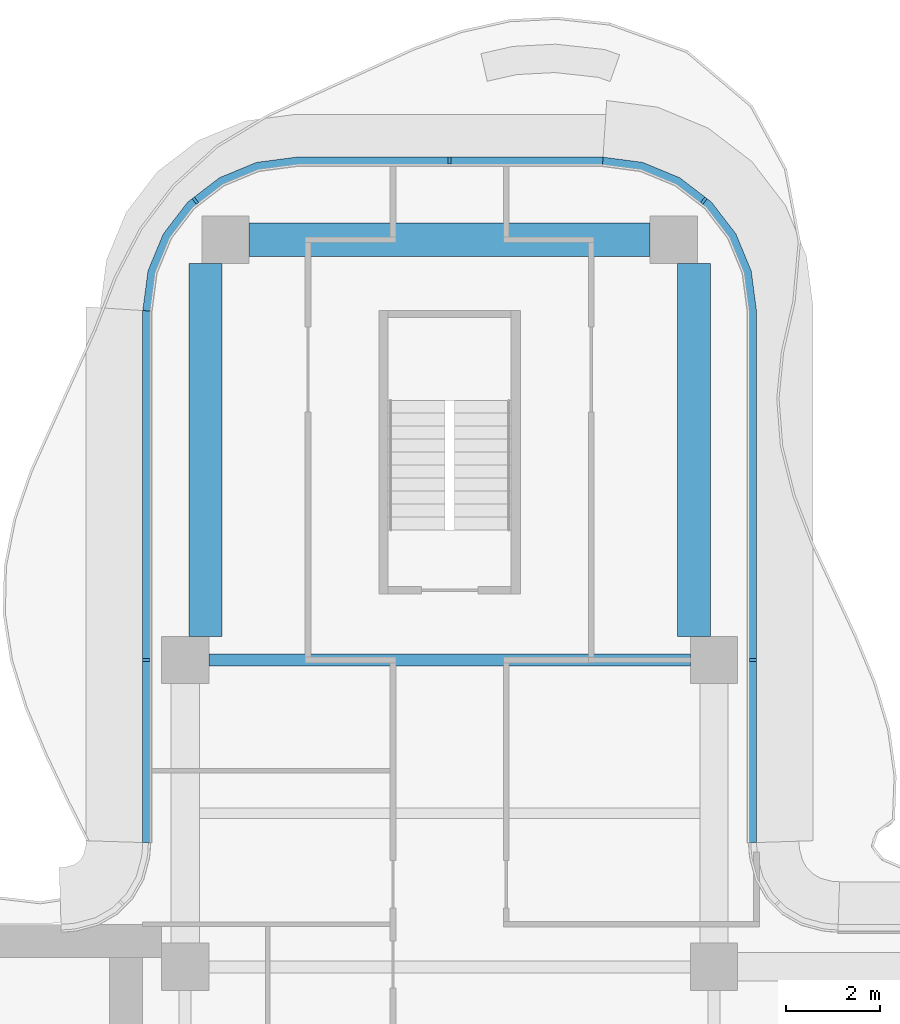
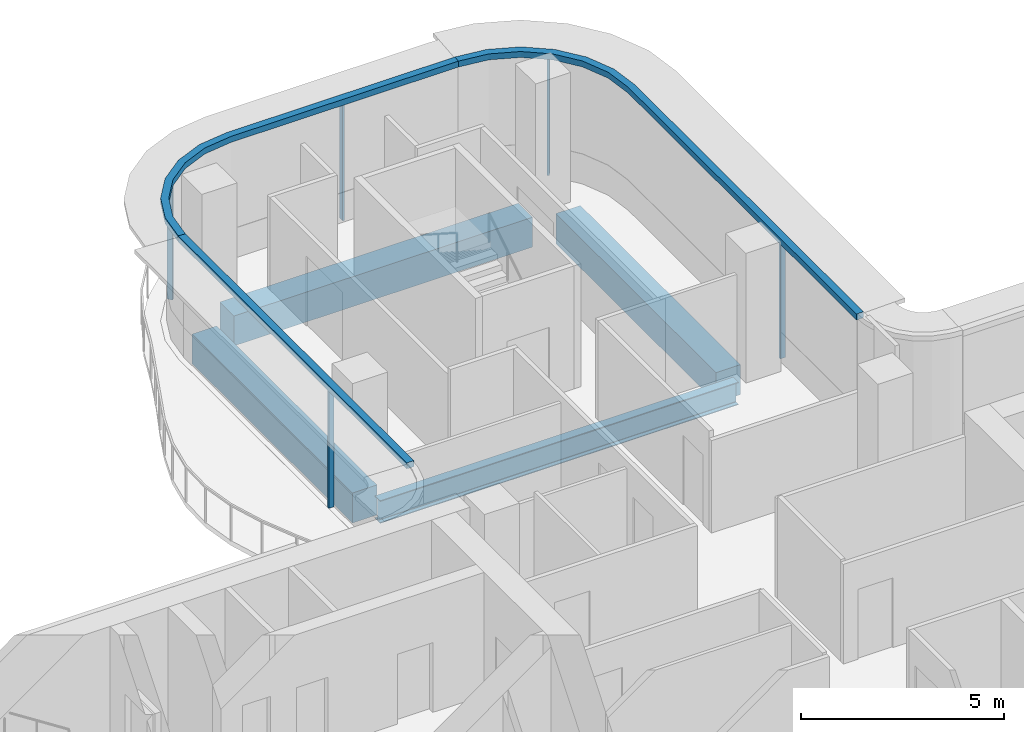
# One storey, part 7 of 16: 8 members, 4 beams, 3 elements without a shape of their own.
"""IFC4 building model written with IfcOpenShell, lengths in metres."""

import ifcopenshell
import ifcopenshell.guid

model = None  # the IFC model being written
_history = None  # IfcOwnerHistory: only IFC2X3 demands one
_inside = {}  # id of a spatial element -> (the spatial element, [elements in it])
_under = {}  # id of a project, library or spatial element -> (it, [spatial elements below it])
_declared = {}  # id of a project -> (the project, [libraries it declares])
_typed = {}  # id of a type object -> (the type object, [elements of that type])
_made_of = {}  # id of a material, layer set ... -> (it, [elements and type objects made of it])


def new_model(schema):
    """Start an empty IFC model of exactly this schema.

    Asked for "IFC4X3", IfcOpenShell would pick the latest addendum, in which some entities
    have other attributes; the version numbers below select the first issue.
    IFC2X3 requires an IfcOwnerHistory on every rooted entity: one is made here for all.
    """
    global model, _history
    if schema == "IFC4X3":
        model = ifcopenshell.file(schema_version=(4, 3, 0, 0))
    else:
        model = ifcopenshell.file(schema=schema)
    _inside.clear()
    _under.clear()
    _declared.clear()
    _typed.clear()
    _made_of.clear()
    _history = None
    if model.schema == "IFC2X3":
        org = make("IfcOrganization", Name="unknown")
        user = make(
            "IfcPersonAndOrganization",
            ThePerson=make("IfcPerson", FamilyName="unknown"),
            TheOrganization=org,
        )
        app = make(
            "IfcApplication",
            ApplicationDeveloper=org,
            Version="unknown",
            ApplicationFullName="unknown",
            ApplicationIdentifier="unknown",
        )
        _history = make(
            "IfcOwnerHistory",
            OwningUser=user,
            OwningApplication=app,
            ChangeAction="ADDED",
            CreationDate=0,
        )
    return model


def make(cls, **values):
    """One entity of the class cls with the attributes given. An attribute that is None is left unset."""
    return model.create_entity(
        cls, **{name: value for name, value in values.items() if value is not None}
    )


def rooted(cls, **values):
    """An entity with a GlobalId (a new one), such as an element, a storey or a relation."""
    return make(cls, GlobalId=ifcopenshell.guid.new(), OwnerHistory=_history, **values)


def si_unit(unit_type, name, prefix=None):
    """IfcSIUnit, for example si_unit("LENGTHUNIT", "METRE", prefix="MILLI")."""
    return make("IfcSIUnit", UnitType=unit_type, Prefix=prefix, Name=name)


def assignment(units):
    """IfcUnitAssignment: the units of a project."""
    return None if units is None else make("IfcUnitAssignment", Units=units)


def point(xyz):
    """IfcCartesianPoint."""
    return None if xyz is None else make("IfcCartesianPoint", Coordinates=xyz)


def direction(xyz):
    """IfcDirection."""
    return None if xyz is None else make("IfcDirection", DirectionRatios=xyz)


def frame(location, z_axis=None, x_axis=None):
    """IfcAxis2Placement3D, a coordinate frame: its origin and axes. An axis left out is left unset."""
    return make(
        "IfcAxis2Placement3D",
        Location=point(location),
        Axis=direction(z_axis),
        RefDirection=direction(x_axis),
    )


def frame_2d(location, x_axis=None):
    """IfcAxis2Placement2D, a coordinate frame in the plane: its origin and x axis."""
    return make(
        "IfcAxis2Placement2D", Location=point(location), RefDirection=direction(x_axis)
    )


def origin():
    """The frame at (0, 0, 0) with its axes left unset."""
    return frame((0.0, 0.0, 0.0))


def origin_2d():
    """The frame at (0, 0) in the plane with its x axis left unset."""
    return frame_2d((0.0, 0.0))


def place(relative_to, where):
    """IfcLocalPlacement: puts the frame where relative to a parent placement (None: the world)."""
    return make(
        "IfcLocalPlacement", PlacementRelTo=relative_to, RelativePlacement=where
    )


def context(
    kind, dimensions, precision=None, world=None, true_north=None, identifier=None
):
    """IfcGeometricRepresentationContext, for example the 3D "Model" context."""
    return make(
        "IfcGeometricRepresentationContext",
        ContextIdentifier=identifier,
        ContextType=kind,
        CoordinateSpaceDimension=dimensions,
        Precision=precision,
        WorldCoordinateSystem=world,
        TrueNorth=true_north,
    )


def subcontext(parent, identifier, kind, view, scale=None):
    """IfcGeometricRepresentationSubContext, for example "Body" below "Model"."""
    return make(
        "IfcGeometricRepresentationSubContext",
        ContextIdentifier=identifier,
        ContextType=kind,
        ParentContext=parent,
        TargetScale=scale,
        TargetView=view,
    )


def project(units=None, contexts=None):
    """IfcProject with its units and contexts."""
    return rooted(
        "IfcProject",
        Name="project",
        RepresentationContexts=contexts,
        UnitsInContext=assignment(units),
    )


def spatial(cls, under=None, at=None, **own):
    """A site, building, storey or space (cls), placed at a placement, below another one or the project."""
    s = rooted(cls, ObjectPlacement=at, **own)
    if under is not None:
        _under.setdefault(under.id(), (under, []))[1].append(s)
    return s


def polyline(points):
    """IfcPolyline through the points."""
    return make("IfcPolyline", Points=[point(p) for p in points])


def profile(cls, at=None, kind="AREA", **sizes):
    """A parametric profile (cls). Its sizes go by their IFC names, for example OverallWidth=200.0."""
    return make(cls, ProfileType=kind, Position=at, **sizes)


def rectangle(**sizes):
    """IfcRectangleProfileDef."""
    return profile("IfcRectangleProfileDef", **sizes)


def i_section(**sizes):
    """IfcIShapeProfileDef."""
    return profile("IfcIShapeProfileDef", **sizes)


def outline(outer, holes=None, kind="AREA"):
    """IfcArbitraryClosedProfileDef: a profile drawn as a closed curve; with holes, ...WithVoids."""
    if holes is None:
        return make("IfcArbitraryClosedProfileDef", ProfileType=kind, OuterCurve=outer)
    return make(
        "IfcArbitraryProfileDefWithVoids",
        ProfileType=kind,
        OuterCurve=outer,
        InnerCurves=holes,
    )


def extrude(swept, where, along, depth):
    """IfcExtrudedAreaSolid: the profile swept, set in the frame where, extruded along a direction by depth."""
    return make(
        "IfcExtrudedAreaSolid",
        SweptArea=swept,
        Position=where,
        ExtrudedDirection=direction(along),
        Depth=depth,
    )


def shape(context_of_items, identifier, shape_type, items):
    """IfcShapeRepresentation: the items that make up one representation, for example the "Body"."""
    return make(
        "IfcShapeRepresentation",
        ContextOfItems=context_of_items,
        RepresentationIdentifier=identifier,
        RepresentationType=shape_type,
        Items=items,
    )


def source(mapping_origin, context_of_items, identifier, shape_type, items):
    """IfcRepresentationMap: a shape defined once, which mapped items show again and again."""
    return make(
        "IfcRepresentationMap",
        MappingOrigin=mapping_origin,
        MappedRepresentation=shape(context_of_items, identifier, shape_type, items),
    )


def transform(
    local_origin,
    x_axis=None,
    y_axis=None,
    z_axis=None,
    scale=None,
    scale2=None,
    scale3=None,
    uniform=True,
):
    """IfcCartesianTransformationOperator3D, or its non-uniform kind. x_axis, y_axis, z_axis: its Axis1, 2, 3."""
    if uniform:
        return make(
            "IfcCartesianTransformationOperator3D",
            Axis1=direction(x_axis),
            Axis2=direction(y_axis),
            LocalOrigin=point(local_origin),
            Scale=scale,
            Axis3=direction(z_axis),
        )
    return make(
        "IfcCartesianTransformationOperator3DnonUniform",
        Axis1=direction(x_axis),
        Axis2=direction(y_axis),
        LocalOrigin=point(local_origin),
        Scale=scale,
        Axis3=direction(z_axis),
        Scale2=scale2,
        Scale3=scale3,
    )


def mapped(mapping_source, mapping_target):
    """IfcMappedItem: shows the shape of a source again, moved by a transform."""
    return make(
        "IfcMappedItem", MappingSource=mapping_source, MappingTarget=mapping_target
    )


def material(Name=None, Category=None):
    """IfcMaterial."""
    return make("IfcMaterial", Name=Name, Category=Category)


def layer(
    of_material, thickness, ventilated=None, Name=None, Category=None, Priority=None
):
    """IfcMaterialLayer: one layer of a wall or slab, of a material (None: an air gap)."""
    return make(
        "IfcMaterialLayer",
        Material=of_material,
        LayerThickness=thickness,
        IsVentilated=ventilated,
        Name=Name,
        Category=Category,
        Priority=Priority,
    )


def layer_set(layers, Name=None):
    """IfcMaterialLayerSet."""
    return make("IfcMaterialLayerSet", MaterialLayers=layers, LayerSetName=Name)


def material_profile(
    of_material, cross_section, Name=None, Category=None, Priority=None
):
    """IfcMaterialProfile: a cross section and its material."""
    return make(
        "IfcMaterialProfile",
        Name=Name,
        Material=of_material,
        Profile=cross_section,
        Priority=Priority,
        Category=Category,
    )


def profile_set(profiles, Name=None, composite=None):
    """IfcMaterialProfileSet."""
    return make(
        "IfcMaterialProfileSet",
        Name=Name,
        MaterialProfiles=profiles,
        CompositeProfile=composite,
    )


def made_of(thing, what):
    """Note that an element or type object is made of a material, layer set ...; save() writes the relation."""
    if what is not None:
        _made_of.setdefault(what.id(), (what, []))[1].append(thing)
    return thing


def type_object(cls, material=None, **own):
    """A type object (cls), such as IfcWallType, which elements share."""
    return made_of(rooted(cls, **own), material)


def element(
    cls,
    number,
    at=None,
    inside=None,
    cuts=None,
    type_object=None,
    material=None,
    context=None,
    identifier="Body",
    shape_type=None,
    held_by="IfcProductDefinitionShape",
    body=None,
    shapes=None,
    **own,
):
    """One element of the class cls, such as IfcWall. Its Tag is "e" and its number.

    at: its placement. inside: the storey or other place that contains it. cuts: it is an
    opening in that element (IfcRelVoidsElement). A single representation is given by context,
    identifier, shape_type and body (its items); several are given by shapes. held_by: the class
    of the entity that holds the representations. save() writes the other relations.
    """
    e = rooted(cls, Tag="e%d" % number, ObjectPlacement=at, **own)
    if body is not None:
        shapes = [shape(context, identifier, shape_type, body)]
    if shapes is not None:
        e.Representation = make(held_by, Representations=shapes)
    if inside is not None:
        _inside.setdefault(inside.id(), (inside, []))[1].append(e)
    if cuts is not None:
        rooted(
            "IfcRelVoidsElement", RelatingBuildingElement=cuts, RelatedOpeningElement=e
        )
    if type_object is not None:
        _typed.setdefault(type_object.id(), (type_object, []))[1].append(e)
    return made_of(e, material)


def aggregate(whole, parts):
    """IfcRelAggregates: a whole, such as a stair, and the parts it consists of."""
    return rooted("IfcRelAggregates", RelatingObject=whole, RelatedObjects=parts)


def save(model, path):
    """Write the relations noted so far, then the file.

    IfcRelAggregates (storeys below a building ...), IfcRelContainedInSpatialStructure (elements
    in a storey), IfcRelDefinesByType, IfcRelAssociatesMaterial and IfcRelDeclares: one each for
    every whole, place, type object, material and project.
    """
    for whole, parts in _under.values():
        aggregate(whole, parts)
    for where, things in _inside.values():
        rooted(
            "IfcRelContainedInSpatialStructure",
            RelatedElements=things,
            RelatingStructure=where,
        )
    for kind, things in _typed.values():
        rooted("IfcRelDefinesByType", RelatedObjects=things, RelatingType=kind)
    for what, things in _made_of.values():
        rooted("IfcRelAssociatesMaterial", RelatedObjects=things, RelatingMaterial=what)
    for by, libraries in _declared.values():
        rooted("IfcRelDeclares", RelatingContext=by, RelatedDefinitions=libraries)
    model.write(path)


model = new_model("IFC4")

# Units and contexts
model_context = context("Model", 3, precision=1e-05, world=origin(), true_north=direction((0.0, 1.0)))
body_context = subcontext(model_context, "Body", "Model", "MODEL_VIEW")
ifc_project = project(units=[si_unit("LENGTHUNIT", "METRE"), si_unit("AREAUNIT", "SQUARE_METRE"), si_unit("VOLUMEUNIT", "CUBIC_METRE"), si_unit("PLANEANGLEUNIT", "RADIAN"), si_unit("MASSUNIT", "GRAM", prefix="KILO")], contexts=[model_context])

# Site, building, storey
site_placement = place(None, origin())
site = spatial("IfcSite", under=ifc_project, at=site_placement, CompositionType="ELEMENT")
building_placement = place(site_placement, origin())
building = spatial("IfcBuilding", under=site, at=building_placement, Name="Trellis Farm Tower", CompositionType="ELEMENT")
storey_placement = place(building_placement, frame((0.0, 0.0, 298.89990234375)))
storey = spatial("IfcBuildingStorey", under=building, at=storey_placement, Name="L67", CompositionType="ELEMENT", Elevation=298.89990234375)

# Beams
ifc_material_1 = material(Name="Steel S355", Category="steel")
ifc_material_profile_1 = material_profile(ifc_material_1, i_section(OverallWidth=0.253662109375, OverallDepth=0.68359375, WebThickness=0.012451171875, FlangeThickness=0.021728515625, FilletRadius=0.01513671875, at=origin_2d()), Name="UB 686x254x140")
ifc_profile_set_1 = profile_set([ifc_material_profile_1], Name="Steel S355")
beam_type_1 = type_object("IfcBeamType", Name="UB 686x254x140", PredefinedType="BEAM", material=ifc_profile_set_1)
shared_shape_1 = source(origin(), body_context, "Body", "SweptSolid", [
    extrude(i_section(OverallWidth=0.253662109375, OverallDepth=0.68359375, WebThickness=0.012451171875, FlangeThickness=0.021728515625, FilletRadius=0.01513671875, at=origin_2d()), origin(), (0.0, 0.0, 1.0), 10.2001953125),
])
beam_1_placement = place(storey_placement, frame((-5.10009765625, 12.10009765625, -0.541748046875), z_axis=(1.0, 0.0, 0.0), x_axis=(0.0, 1.0, 0.0)))
element("IfcBeam", 1, at=beam_1_placement, inside=storey, type_object=beam_type_1, Name="Girder", PredefinedType="BEAM", context=body_context, shape_type="MappedRepresentation", body=[
    mapped(shared_shape_1, transform((0.0, 0.0, 0.0))),
])
ifc_material_2 = material(Name="Concrete C60/75", Category="concrete")
ifc_material_profile_2 = material_profile(ifc_material_2, rectangle(XDim=0.699951171875, YDim=0.89990234375, at=origin_2d()), Name="RC spandrel beam 700x900 C60/75")
ifc_profile_set_2 = profile_set([ifc_material_profile_2], Name="Concrete C60/75")
beam_type_2 = type_object("IfcBeamType", Name="RC spandrel beam 700x900 C60/75", PredefinedType="SPANDREL", material=ifc_profile_set_2)
shared_shape_2 = source(origin(), body_context, "Body", "SweptSolid", [
    extrude(rectangle(XDim=0.699951171875, YDim=0.89990234375, at=origin_2d()), origin(), (0.0, 0.0, 1.0), 8.5),
])
beam_2_placement = place(storey_placement, frame((-4.25, 21.0, -0.64990234375), z_axis=(1.0, 0.0, 0.0), x_axis=(0.0, 1.0, 0.0)))
element("IfcBeam", 2, at=beam_2_placement, inside=storey, type_object=beam_type_2, Name="Girder", PredefinedType="SPANDREL", context=body_context, shape_type="MappedRepresentation", body=[
    mapped(shared_shape_2, transform((0.0, 0.0, 0.0))),
])
shared_shape_3 = source(origin(), body_context, "Body", "SweptSolid", [
    extrude(rectangle(XDim=0.699951171875, YDim=0.89990234375, at=origin_2d()), origin(), (0.0, 0.0, 1.0), 7.89990234375),
])
for number, where, z_axis, x_axis, name in (
    (3, (-5.175048828125, 12.60009765625, -0.64990234375), (0.0, 1.0, 0.0), (-1.0, 0.0, 0.0), "Girder"),
    (4, (5.175048828125, 12.60009765625, -0.64990234375), (0.0, 1.0, 0.0), (-1.0, 0.0, 0.0), "Girder"),
):
    element("IfcBeam", number, at=place(storey_placement, frame(where, z_axis=z_axis, x_axis=x_axis)), inside=storey, type_object=beam_type_2, Name=name, PredefinedType="SPANDREL", context=body_context, shape_type="MappedRepresentation", body=[
        mapped(shared_shape_3, transform((0.0, 0.0, 0.0))),
    ])

# Curtain wall, members
ifc_material_3 = material(Name="Aluminium and glass curtain wall", Category="aluminium")
ifc_layer_1 = layer(ifc_material_3, 0.18994140625)
ifc_layer_set_1 = layer_set([ifc_layer_1], Name="RIBBON CURTAIN WALL CW1")
curtain_wall_type = type_object("IfcCurtainWallType", Name="RIBBON CURTAIN WALL CW1", PredefinedType="NOTDEFINED", material=ifc_layer_set_1)
placement_1 = place(storey_placement, origin())
curtain_wall_1 = element("IfcCurtainWall", 5, at=placement_1, inside=storey, type_object=curtain_wall_type, Name="CW1 009", PredefinedType="NOTDEFINED")
ifc_material_4 = material(Name="Aluminium extrusion 6063-T6", Category="aluminium")
ifc_material_profile_3 = material_profile(ifc_material_4, rectangle(XDim=0.06005859375, YDim=0.14990234375, at=origin_2d()), Name="MULLION 60x150")
ifc_profile_set_3 = profile_set([ifc_material_profile_3], Name="Aluminium extrusion 6063-T6")
member_type_1 = type_object("IfcMemberType", Name="CW1 MULLION 60x150", PredefinedType="MULLION", material=ifc_profile_set_3)
shared_shape_4 = source(origin(), body_context, "Body", "SweptSolid", [
    extrude(rectangle(XDim=0.06005859375, YDim=0.14990234375, at=origin_2d()), origin(), (0.0, 0.0, 1.0), 3.52001953125),
])
member_1_placement = place(storey_placement, frame((6.425048828125, 12.10009765625, 0.0), z_axis=(0.0, 0.0, 1.0), x_axis=(0.0, 1.0, 0.0)))
member_1 = element("IfcMember", 6, at=member_1_placement, type_object=member_type_1, Name="MU1 009-01", PredefinedType="MULLION", context=body_context, shape_type="MappedRepresentation", body=[
    mapped(shared_shape_4, transform((0.0, 0.0, 0.0))),
])
member_2_placement = place(storey_placement, frame((5.385498046875, 21.828369140625, 0.0), z_axis=(0.0, 0.0, 1.0), x_axis=(-0.793353340291, 0.608761429009, 0.0)))
member_2 = element("IfcMember", 7, at=member_2_placement, type_object=member_type_1, Name="MU1 009-02", PredefinedType="MULLION", context=body_context, shape_type="MappedRepresentation", body=[
    mapped(shared_shape_4, transform((0.0, 0.0, 0.0))),
])

curtain_wall_2 = element("IfcCurtainWall", 8, at=placement_1, inside=storey, type_object=curtain_wall_type, Name="CW1 010", PredefinedType="NOTDEFINED")
member_3_placement = place(storey_placement, frame((0.0, 22.675048828125, 0.0), z_axis=(0.0, 0.0, 1.0), x_axis=(-1.0, 0.0, 0.0)))
member_3 = element("IfcMember", 9, at=member_3_placement, type_object=member_type_1, Name="MU1 010-01", PredefinedType="MULLION", context=body_context, shape_type="MappedRepresentation", body=[
    mapped(shared_shape_4, transform((0.0, 0.0, 0.0))),
])
member_4_placement = place(storey_placement, frame((-5.385498046875, 21.828369140625, 0.0), z_axis=(0.0, 0.0, 1.0), x_axis=(-0.793353340291, -0.608761429009, 0.0)))
member_4 = element("IfcMember", 10, at=member_4_placement, type_object=member_type_1, Name="MU1 010-02", PredefinedType="MULLION", context=body_context, shape_type="MappedRepresentation", body=[
    mapped(shared_shape_4, transform((0.0, 0.0, 0.0))),
])

# Curtain wall, member
curtain_wall_3 = element("IfcCurtainWall", 11, at=placement_1, inside=storey, type_object=curtain_wall_type, Name="CW1 011", PredefinedType="NOTDEFINED")
member_5_placement = place(storey_placement, frame((-6.425048828125, 12.10009765625, 0.0), z_axis=(0.0, 0.0, 1.0), x_axis=(0.0, -1.0, 0.0)))
member_5 = element("IfcMember", 12, at=member_5_placement, type_object=member_type_1, Name="MU1 011-01", PredefinedType="MULLION", context=body_context, shape_type="MappedRepresentation", body=[
    mapped(shared_shape_4, transform((0.0, 0.0, 0.0))),
])

# Member
ifc_layer_2 = layer(ifc_material_4, 0.199951171875)
ifc_layer_set_2 = layer_set([ifc_layer_2], Name="Aluminium extrusion 6063-T6")
member_type_2 = type_object("IfcMemberType", Name="CW1 TRANSOM 200x180", PredefinedType="USERDEFINED", material=ifc_layer_set_2)
shared_shape_5 = source(origin(), body_context, "Body", "SweptSolid", [
    extrude(outline(polyline([(6.5, 8.2314453125), (6.5, 19.5), (6.38916015625, 20.341064453125), (6.064697265625, 21.125), (5.548095703125, 21.798095703125), (4.875, 22.314697265625), (4.091064453125, 22.63916015625), (3.25, 22.75), (3.23681640625, 22.550048828125), (4.0390625, 22.4443359375), (4.774169921875, 22.139892578125), (5.405517578125, 21.655517578125), (5.889892578125, 21.024169921875), (6.1943359375, 20.2890625), (6.300048828125, 19.48681640625), (6.300048828125, 8.224853515625), (6.5, 8.2314453125)])), origin(), (0.0, 0.0, 1.0), 0.18017578125),
])
placement_2 = place(storey_placement, frame((0.0, 0.0, 3.52001953125)))
member_6 = element("IfcMember", 13, at=placement_2, type_object=member_type_2, Name="TR1 009", ObjectType="TRANSOM", PredefinedType="USERDEFINED", context=body_context, shape_type="MappedRepresentation", body=[
    mapped(shared_shape_5, transform((0.0, 0.0, 0.0))),
])

aggregate(curtain_wall_1, [member_1, member_2, member_6])

shared_shape_6 = source(origin(), body_context, "Body", "SweptSolid", [
    extrude(outline(polyline([(-6.5, 19.5), (-6.5, 8.2314453125), (-6.300048828125, 8.224853515625), (-6.300048828125, 19.48681640625), (-6.5, 19.5)])), origin(), (0.0, 0.0, 1.0), 0.18017578125),
])
member_7 = element("IfcMember", 14, at=placement_2, type_object=member_type_2, Name="TR1 011", ObjectType="TRANSOM", PredefinedType="USERDEFINED", context=body_context, shape_type="MappedRepresentation", body=[
    mapped(shared_shape_6, transform((0.0, 0.0, 0.0))),
])

aggregate(curtain_wall_3, [member_5, member_7])

shared_shape_7 = source(origin(), body_context, "Body", "SweptSolid", [
    extrude(outline(polyline([(3.25, 22.75), (-3.25, 22.75), (-4.091064453125, 22.63916015625), (-4.875, 22.314697265625), (-5.548095703125, 21.798095703125), (-6.064697265625, 21.125), (-6.38916015625, 20.341064453125), (-6.5, 19.5), (-6.300048828125, 19.48681640625), (-6.1943359375, 20.2890625), (-5.889892578125, 21.024169921875), (-5.405517578125, 21.655517578125), (-4.774169921875, 22.139892578125), (-4.0390625, 22.4443359375), (-3.23681640625, 22.550048828125), (3.23681640625, 22.550048828125), (3.25, 22.75)])), origin(), (0.0, 0.0, 1.0), 0.18017578125),
])
member_8 = element("IfcMember", 15, at=placement_2, type_object=member_type_2, Name="TR1 010", ObjectType="TRANSOM", PredefinedType="USERDEFINED", context=body_context, shape_type="MappedRepresentation", body=[
    mapped(shared_shape_7, transform((0.0, 0.0, 0.0))),
])

aggregate(curtain_wall_2, [member_3, member_4, member_8])

save(model, "model.ifc")
